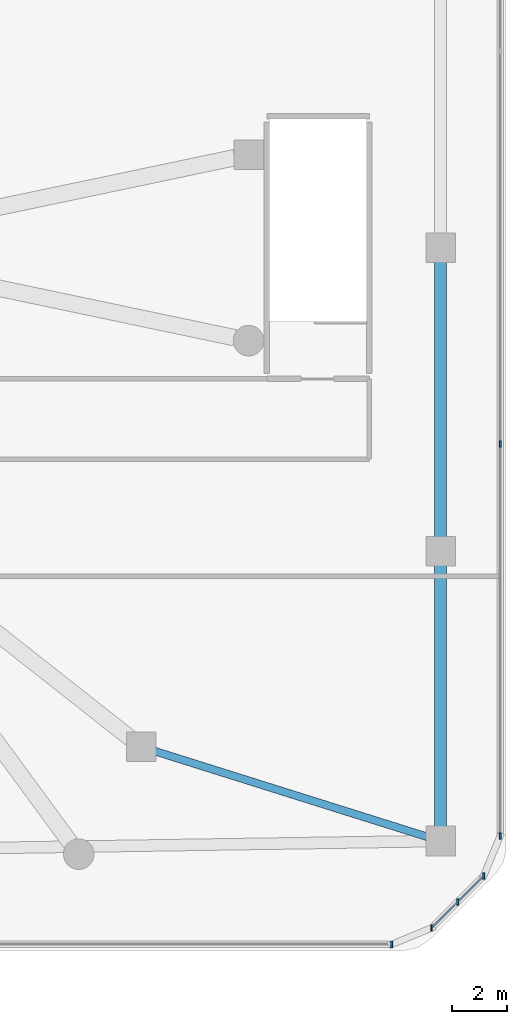
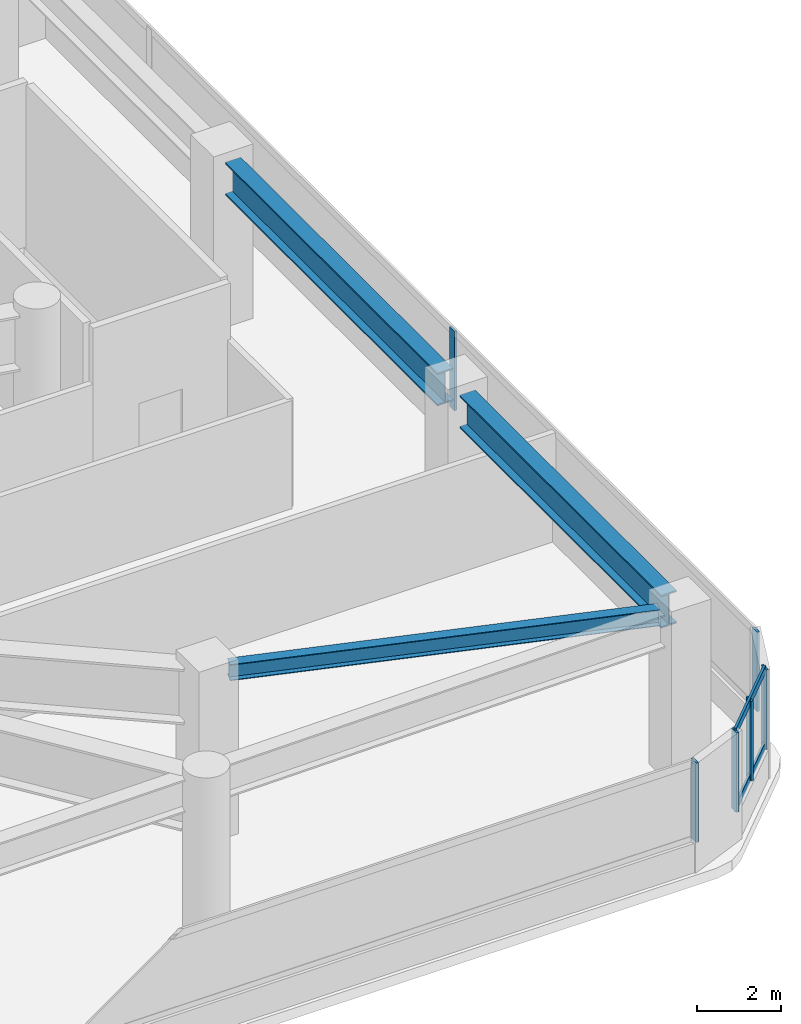
# One storey, part 9 of 21: 8 members, 3 beams, 3 elements without a shape of their own.
"""IFC4 building model written with IfcOpenShell, lengths in metres."""

from ifc_helpers import new_model, si_unit, derived_unit, direction, frame, origin, origin_2d, place, context, subcontext, project, spatial, rectangle, i_section, extrude, material, material_profile, profile_set, type_object, element, aggregate, save


model = new_model("IFC4")

# Units and contexts
model_context = context("Model", 3, precision=1e-05, world=origin(), true_north=direction((0.0, 1.0)))
body_context = subcontext(model_context, "Body", "Model", "MODEL_VIEW")
ifc_project = project(units=[si_unit("LENGTHUNIT", "METRE"), si_unit("AREAUNIT", "SQUARE_METRE"), si_unit("VOLUMEUNIT", "CUBIC_METRE"), si_unit("PLANEANGLEUNIT", "RADIAN"), si_unit("MASSUNIT", "GRAM", prefix="KILO"), derived_unit("THERMALTRANSMITTANCEUNIT", [(si_unit("POWERUNIT", "WATT"), 1), (si_unit("LENGTHUNIT", "METRE"), -2), (si_unit("THERMODYNAMICTEMPERATUREUNIT", "KELVIN"), -1)])], contexts=[model_context])

# Site, building, storey
site_placement = place(None, origin())
site = spatial("IfcSite", under=ifc_project, at=site_placement, CompositionType="ELEMENT")
building_placement = place(site_placement, origin())
building = spatial("IfcBuilding", under=site, at=building_placement, Name="Koralith Skygarden Medical Center", CompositionType="ELEMENT")
storey_placement = place(building_placement, frame((0.0, 0.0, 18.89990234375)))
storey = spatial("IfcBuildingStorey", under=building, at=storey_placement, Name="L04", CompositionType="ELEMENT", Elevation=18.89990234375)

# Curtain wall, member
ifc_material_1 = material(Name="Clear Laminated Glass", Category="glass")
curtain_wall_type = type_object("IfcCurtainWallType", Name="CW-1 Transit & Podium Acoustic Curtain Wall", PredefinedType="NOTDEFINED", material=ifc_material_1)
curtain_wall_1_placement = place(storey_placement, origin())
curtain_wall_1 = element("IfcCurtainWall", 1, at=curtain_wall_1_placement, inside=storey, type_object=curtain_wall_type, Name="Curtain Wall CW-L04-S", PredefinedType="NOTDEFINED")
ifc_material_2 = material(Name="Aluminium 6063-T6", Category="aluminium")
ifc_material_profile_1 = material_profile(ifc_material_2, rectangle(XDim=0.068115234375, YDim=0.239990234375, at=origin_2d()), Name="MUL68X240")
ifc_profile_set_1 = profile_set([ifc_material_profile_1], Name="Aluminium 6063-T6")
member_type_1 = type_object("IfcMemberType", Name="CW-1 Extruded Mullion 68x240", PredefinedType="MULLION", material=ifc_profile_set_1)
member_1_placement = place(storey_placement, frame((69.62109375, 0.419921875, 0.85009765625), z_axis=(0.0, 0.0, 1.0), x_axis=(1.0, 0.0, 0.0)))
member_1 = element("IfcMember", 2, at=member_1_placement, type_object=member_type_1, Name="CW-L04-S Mullion 4", PredefinedType="MULLION", context=body_context, shape_type="SweptSolid", body=[
    extrude(rectangle(XDim=0.068115234375, YDim=0.239990234375, at=origin_2d()), origin(), (0.0, 0.0, 1.0), 2.300048828125),
])
aggregate(curtain_wall_1, [member_1])

# Curtain wall, members
curtain_wall_2_placement = place(storey_placement, origin())
curtain_wall_2 = element("IfcCurtainWall", 3, at=curtain_wall_2_placement, inside=storey, type_object=curtain_wall_type, Name="Curtain Wall CW-L04-SE", PredefinedType="NOTDEFINED")
member_2_placement = place(storey_placement, frame((71.072021484375, 1.02099609375, 0.85009765625), z_axis=(0.0, 0.0, 1.0), x_axis=(1.0, 0.0, 0.0)))
member_2 = element("IfcMember", 4, at=member_2_placement, type_object=member_type_1, Name="CW-L04-SE Mullion 1", PredefinedType="MULLION", context=body_context, shape_type="SweptSolid", body=[
    extrude(rectangle(XDim=0.068115234375, YDim=0.239990234375, at=origin_2d()), origin(), (0.0, 0.0, 1.0), 2.300048828125),
])
member_3_placement = place(storey_placement, frame((72.02490234375, 1.97412109375, 0.85009765625), z_axis=(0.0, 0.0, 1.0), x_axis=(1.0, 0.0, 0.0)))
member_3 = element("IfcMember", 5, at=member_3_placement, type_object=member_type_1, Name="CW-L04-SE Mullion 2", PredefinedType="MULLION", context=body_context, shape_type="SweptSolid", body=[
    extrude(rectangle(XDim=0.068115234375, YDim=0.239990234375, at=origin_2d()), origin(), (0.0, 0.0, 1.0), 2.300048828125),
])
member_4_placement = place(storey_placement, frame((72.97900390625, 2.927978515625, 0.85009765625), z_axis=(0.0, 0.0, 1.0), x_axis=(1.0, 0.0, 0.0)))
member_4 = element("IfcMember", 6, at=member_4_placement, type_object=member_type_1, Name="CW-L04-SE Mullion 3", PredefinedType="MULLION", context=body_context, shape_type="SweptSolid", body=[
    extrude(rectangle(XDim=0.068115234375, YDim=0.239990234375, at=origin_2d()), origin(), (0.0, 0.0, 1.0), 2.300048828125),
])

curtain_wall_3_placement = place(storey_placement, origin())
curtain_wall_3 = element("IfcCurtainWall", 7, at=curtain_wall_3_placement, inside=storey, type_object=curtain_wall_type, Name="Curtain Wall CW-L04-E", PredefinedType="NOTDEFINED")
member_5_placement = place(storey_placement, frame((73.580078125, 4.37890625, 0.85009765625), z_axis=(0.0, 0.0, 1.0), x_axis=(1.0, 0.0, 0.0)))
member_5 = element("IfcMember", 8, at=member_5_placement, type_object=member_type_1, Name="CW-L04-E Mullion 1", PredefinedType="MULLION", context=body_context, shape_type="SweptSolid", body=[
    extrude(rectangle(XDim=0.068115234375, YDim=0.239990234375, at=origin_2d()), origin(), (0.0, 0.0, 1.0), 2.300048828125),
])
member_6_placement = place(storey_placement, frame((73.580078125, 18.72607421875, 0.85009765625), z_axis=(0.0, 0.0, 1.0), x_axis=(1.0, 0.0, 0.0)))
member_6 = element("IfcMember", 9, at=member_6_placement, type_object=member_type_1, Name="CW-L04-E Mullion 2", PredefinedType="MULLION", context=body_context, shape_type="SweptSolid", body=[
    extrude(rectangle(XDim=0.068115234375, YDim=0.239990234375, at=origin_2d()), origin(), (0.0, 0.0, 1.0), 2.300048828125),
])
aggregate(curtain_wall_3, [member_5, member_6])

# Member
ifc_material_profile_2 = material_profile(ifc_material_2, rectangle(XDim=0.06298828125, YDim=0.216064453125, at=origin_2d()), Name="TRN63X216")
ifc_profile_set_2 = profile_set([ifc_material_profile_2], Name="Aluminium 6063-T6")
member_type_2 = type_object("IfcMemberType", Name="CW-1 Thermal Transom 63x216", PredefinedType="USERDEFINED", material=ifc_profile_set_2)
member_7_placement = place(storey_placement, frame((71.072021484375, 1.02099609375, 0.900146484375), z_axis=(0.707106781187, 0.707106781187, 0.0), x_axis=(-0.707106781187, 0.707106781187, 0.0)))
member_7 = element("IfcMember", 10, at=member_7_placement, type_object=member_type_2, Name="CW-L04-SE Transom 1", ObjectType="TRANSOM", PredefinedType="USERDEFINED", context=body_context, shape_type="SweptSolid", body=[
    extrude(rectangle(XDim=0.06298828125, YDim=0.216064453125, at=origin_2d()), origin(), (0.0, 0.0, 1.0), 2.69677734375),
])

member_8_placement = place(storey_placement, frame((71.072021484375, 1.02099609375, 3.10009765625), z_axis=(0.707106781187, 0.707106781187, 0.0), x_axis=(-0.707106781187, 0.707106781187, 0.0)))
member_8 = element("IfcMember", 11, at=member_8_placement, type_object=member_type_2, Name="CW-L04-SE Transom 2", ObjectType="TRANSOM", PredefinedType="USERDEFINED", context=body_context, shape_type="SweptSolid", body=[
    extrude(rectangle(XDim=0.06298828125, YDim=0.216064453125, at=origin_2d()), origin(), (0.0, 0.0, 1.0), 2.69677734375),
])

aggregate(curtain_wall_2, [member_2, member_3, member_4, member_7, member_8])

# Beams
ifc_material_3 = material(Name="Steel ASTM A992 Grade 50", Category="steel")
ifc_material_profile_3 = material_profile(ifc_material_3, i_section(OverallWidth=0.423095703125, OverallDepth=0.947998046875, WebThickness=0.02392578125, FlangeThickness=0.042724609375, at=origin_2d()), Name="W36X302")
ifc_profile_set_3 = profile_set([ifc_material_profile_3], Name="Steel ASTM A992 Grade 50")
beam_type_1 = type_object("IfcBeamType", Name="Podium Concourse Girder W36X302", PredefinedType="BEAM", material=ifc_profile_set_3)
beam_1_placement = place(storey_placement, frame((71.39990234375, 4.719970703125, 4.2861328125), z_axis=(0.0, 1.0, 0.0), x_axis=(-1.0, 0.0, 0.0)))
element("IfcBeam", 12, at=beam_1_placement, inside=storey, type_object=beam_type_1, Name="L04 Podium Perimeter Beam PB-05", PredefinedType="BEAM", context=body_context, shape_type="SweptSolid", body=[
    extrude(i_section(OverallWidth=0.423095703125, OverallDepth=0.947998046875, WebThickness=0.02392578125, FlangeThickness=0.042724609375, at=origin_2d()), origin(), (0.0, 0.0, 1.0), 9.56005859375),
])
beam_2_placement = place(storey_placement, frame((71.39990234375, 15.320068359375, 4.2861328125), z_axis=(0.0, 1.0, 0.0), x_axis=(-1.0, 0.0, 0.0)))
element("IfcBeam", 13, at=beam_2_placement, inside=storey, type_object=beam_type_1, Name="L04 Podium Perimeter Beam PB-06", PredefinedType="BEAM", context=body_context, shape_type="SweptSolid", body=[
    extrude(i_section(OverallWidth=0.423095703125, OverallDepth=0.947998046875, WebThickness=0.02392578125, FlangeThickness=0.042724609375, at=origin_2d()), origin(), (0.0, 0.0, 1.0), 10.059814453125),
])
ifc_material_profile_4 = material_profile(ifc_material_3, i_section(OverallWidth=0.281982421875, OverallDepth=0.467041015625, WebThickness=0.01220703125, FlangeThickness=0.01953125, at=origin_2d()), Name="W18X86")
ifc_profile_set_4 = profile_set([ifc_material_profile_4], Name="Steel ASTM A992 Grade 50")
beam_type_2 = type_object("IfcBeamType", Name="Podium Floor Joist W18X86", PredefinedType="JOIST", material=ifc_profile_set_4)
beam_3_placement = place(storey_placement, frame((60.9560546875, 7.48388671875, 4.527099609375), z_axis=(0.953954869198, -0.299950175084, 0.0), x_axis=(0.299950175084, 0.953954869198, 0.0)))
element("IfcBeam", 14, at=beam_3_placement, inside=storey, type_object=beam_type_2, Name="L04 Podium Floor Joist PJ-03", PredefinedType="JOIST", context=body_context, shape_type="SweptSolid", body=[
    extrude(i_section(OverallWidth=0.281982421875, OverallDepth=0.467041015625, WebThickness=0.01220703125, FlangeThickness=0.01953125, at=origin_2d()), origin(), (0.0, 0.0, 1.0), 10.42822265625),
])

save(model, "model.ifc")
